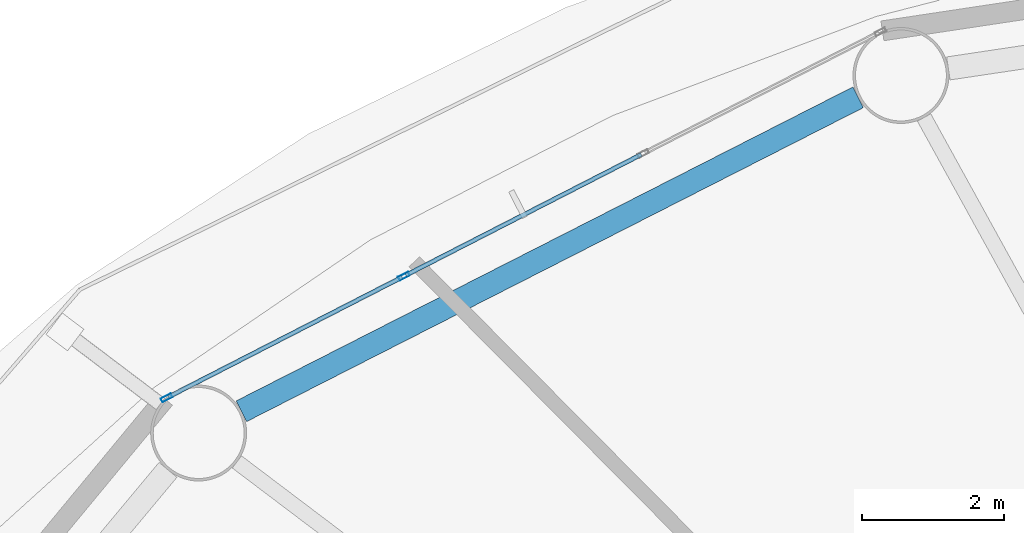
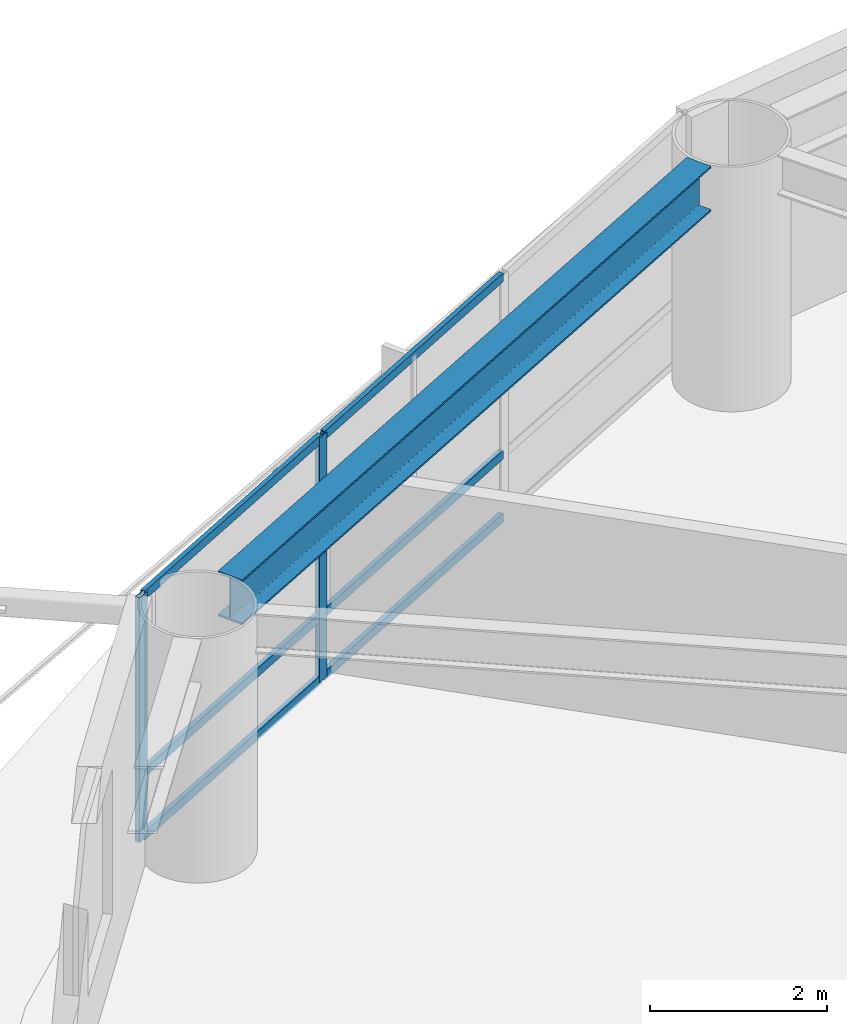
# One storey, part 10 of 26: 8 members, 1 beam, 1 element without a shape of its own.
"""IFC4 building model written with IfcOpenShell, lengths in metres."""

from ifc_helpers import new_model, si_unit, direction, frame, origin, origin_2d, place, context, subcontext, project, spatial, hollow_rectangle, i_section, extrude, material, layer, layer_set, material_profile, profile_set, type_object, element, aggregate, save


model = new_model("IFC4")

# Units and contexts
model_context = context("Model", 3, precision=1e-05, world=origin(), true_north=direction((0.0, 1.0)))
body_context = subcontext(model_context, "Body", "Model", "MODEL_VIEW")
ifc_project = project(units=[si_unit("LENGTHUNIT", "METRE"), si_unit("AREAUNIT", "SQUARE_METRE"), si_unit("VOLUMEUNIT", "CUBIC_METRE"), si_unit("PLANEANGLEUNIT", "RADIAN"), si_unit("MASSUNIT", "GRAM", prefix="KILO")], contexts=[model_context])

# Site, building, storey
site_placement = place(None, origin())
site = spatial("IfcSite", under=ifc_project, at=site_placement, CompositionType="ELEMENT")
building_placement = place(site_placement, origin())
building = spatial("IfcBuilding", under=site, at=building_placement, Name="Sarneth Arch Tower", CompositionType="ELEMENT")
storey_placement = place(building_placement, frame((0.0, 0.0, 49.800048828125)))
storey = spatial("IfcBuildingStorey", under=building, at=storey_placement, Name="L11", CompositionType="ELEMENT", Elevation=49.800048828125)

# Beam
ifc_material_1 = material(Name="Steel S355", Category="steel")
ifc_material_profile_1 = material_profile(ifc_material_1, i_section(OverallWidth=0.326904296875, OverallDepth=0.6220703125, WebThickness=0.015380859375, FlangeThickness=0.0244140625, FilletRadius=0.01904296875, at=origin_2d()), Name="W610x195")
ifc_profile_set_1 = profile_set([ifc_material_profile_1], Name="Steel S355")
beam_type = type_object("IfcBeamType", Name="BM-SPAN-610A", PredefinedType="SPANDREL", material=ifc_profile_set_1)
beam_placement = place(storey_placement, frame((35.58056640625, 63.127685546875, 3.06884765625), z_axis=(-0.8911738076, -0.453662037919, 0.0), x_axis=(0.453662037919, -0.8911738076, 0.0)))
element("IfcBeam", 1, at=beam_placement, inside=storey, type_object=beam_type, Name="L11 Perimeter spandrel beam 06", PredefinedType="SPANDREL", context=body_context, shape_type="SweptSolid", body=[
    extrude(i_section(OverallWidth=0.326904296875, OverallDepth=0.6220703125, WebThickness=0.015380859375, FlangeThickness=0.0244140625, FilletRadius=0.01904296875, at=origin_2d()), origin(), (0.0, 0.0, 1.0), 9.735107421875),
])

# Curtain wall, members
ifc_material_2 = material(Name="Anodised aluminium Type AA25 and solar-control low-e laminated IGU", Category="aluminium")
ifc_layer = layer(ifc_material_2, 0.159912109375)
ifc_layer_set = layer_set([ifc_layer], Name="Anodised aluminium Type AA25 and solar-control low-e laminated IGU")
curtain_wall_type = type_object("IfcCurtainWallType", Name="CW-HOTEL-LOW", PredefinedType="NOTDEFINED", material=ifc_layer_set)
curtain_wall_placement = place(storey_placement, origin())
curtain_wall = element("IfcCurtainWall", 2, at=curtain_wall_placement, inside=storey, type_object=curtain_wall_type, Name="L11 Unitised curtain wall facet 06", PredefinedType="NOTDEFINED")
ifc_material_3 = material(Name="Anodised Aluminium 6063-T6", Category="aluminium")
ifc_material_profile_2 = material_profile(ifc_material_3, hollow_rectangle(XDim=0.06005859375, YDim=0.159912109375, WallThickness=0.00390625, at=origin_2d()), Name="AL-MULL-160x60x4")
ifc_profile_set_2 = profile_set([ifc_material_profile_2], Name="Anodised Aluminium 6063-T6")
member_type_1 = type_object("IfcMemberType", Name="CW-MULLION", PredefinedType="MULLION", material=ifc_profile_set_2)
member_1_placement = place(storey_placement, frame((29.19140625, 60.611328125, 0.0), z_axis=(0.0, 0.0, 1.0), x_axis=(0.456245197127, -0.889854100456, 0.0)))
member_1 = element("IfcMember", 3, at=member_1_placement, type_object=member_type_1, Name="CW-SYS-3 mullion 3", PredefinedType="MULLION", context=body_context, shape_type="SweptSolid", body=[
    extrude(hollow_rectangle(XDim=0.06005859375, YDim=0.159912109375, WallThickness=0.00390625, at=origin_2d()), origin(), (0.0, 0.0, 1.0), 3.3798828125),
])
member_2_placement = place(storey_placement, frame((25.8525390625, 58.8994140625, 0.0), z_axis=(0.0, 0.0, 1.0), x_axis=(0.456245197127, -0.889854100456, 0.0)))
member_2 = element("IfcMember", 4, at=member_2_placement, type_object=member_type_1, Name="CW-SYS-3 mullion 4", PredefinedType="MULLION", context=body_context, shape_type="SweptSolid", body=[
    extrude(hollow_rectangle(XDim=0.06005859375, YDim=0.159912109375, WallThickness=0.00390625, at=origin_2d()), origin(), (0.0, 0.0, 1.0), 3.3798828125),
])
ifc_material_4 = material(Name="Anodised Aluminium 6063-T6", Category="aluminium")
ifc_material_profile_3 = material_profile(ifc_material_4, hollow_rectangle(XDim=0.06005859375, YDim=0.1201171875, WallThickness=0.00390625, at=origin_2d()), Name="AL-TRAN-120x60x4")
ifc_profile_set_3 = profile_set([ifc_material_profile_3], Name="Anodised Aluminium 6063-T6")
member_type_2 = type_object("IfcMemberType", Name="CW-TRANSOM", PredefinedType="USERDEFINED", material=ifc_profile_set_3)
member_3_placement = place(storey_placement, frame((32.530029296875, 62.322998046875, 0.030029296875), z_axis=(-0.889868677022, -0.456216766083, 0.0), x_axis=(0.456216766083, -0.889868677022, 0.0)))
member_3 = element("IfcMember", 5, at=member_3_placement, type_object=member_type_2, Name="CW-SYS-3 transom 2.1", ObjectType="TRANSOM", PredefinedType="USERDEFINED", context=body_context, shape_type="SweptSolid", body=[
    extrude(hollow_rectangle(XDim=0.06005859375, YDim=0.1201171875, WallThickness=0.00390625, at=origin_2d()), origin(), (0.0, 0.0, 1.0), 3.721923828125),
])
member_4_placement = place(storey_placement, frame((32.530029296875, 62.322998046875, 0.89990234375), z_axis=(-0.889868677022, -0.456216766083, 0.0), x_axis=(0.456216766083, -0.889868677022, 0.0)))
member_4 = element("IfcMember", 6, at=member_4_placement, type_object=member_type_2, Name="CW-SYS-3 transom 2.2", ObjectType="TRANSOM", PredefinedType="USERDEFINED", context=body_context, shape_type="SweptSolid", body=[
    extrude(hollow_rectangle(XDim=0.06005859375, YDim=0.1201171875, WallThickness=0.00390625, at=origin_2d()), origin(), (0.0, 0.0, 1.0), 3.721923828125),
])
member_5_placement = place(storey_placement, frame((32.530029296875, 62.322998046875, 3.349853515625), z_axis=(-0.889868677022, -0.456216766083, 0.0), x_axis=(0.456216766083, -0.889868677022, 0.0)))
member_5 = element("IfcMember", 7, at=member_5_placement, type_object=member_type_2, Name="CW-SYS-3 transom 2.3", ObjectType="TRANSOM", PredefinedType="USERDEFINED", context=body_context, shape_type="SweptSolid", body=[
    extrude(hollow_rectangle(XDim=0.06005859375, YDim=0.1201171875, WallThickness=0.00390625, at=origin_2d()), origin(), (0.0, 0.0, 1.0), 3.721923828125),
])
member_6_placement = place(storey_placement, frame((29.16455078125, 60.597412109375, 0.030029296875), z_axis=(-0.889871845224, -0.456210586327, 0.0), x_axis=(0.456210586327, -0.889871845224, 0.0)))
member_6 = element("IfcMember", 8, at=member_6_placement, type_object=member_type_2, Name="CW-SYS-3 transom 3.1", ObjectType="TRANSOM", PredefinedType="USERDEFINED", context=body_context, shape_type="SweptSolid", body=[
    extrude(hollow_rectangle(XDim=0.06005859375, YDim=0.1201171875, WallThickness=0.00390625, at=origin_2d()), origin(), (0.0, 0.0, 1.0), 3.69189453125),
])
member_7_placement = place(storey_placement, frame((29.16455078125, 60.597412109375, 0.89990234375), z_axis=(-0.889871845224, -0.456210586327, 0.0), x_axis=(0.456210586327, -0.889871845224, 0.0)))
member_7 = element("IfcMember", 9, at=member_7_placement, type_object=member_type_2, Name="CW-SYS-3 transom 3.2", ObjectType="TRANSOM", PredefinedType="USERDEFINED", context=body_context, shape_type="SweptSolid", body=[
    extrude(hollow_rectangle(XDim=0.06005859375, YDim=0.1201171875, WallThickness=0.00390625, at=origin_2d()), origin(), (0.0, 0.0, 1.0), 3.69189453125),
])
member_8_placement = place(storey_placement, frame((29.16455078125, 60.597412109375, 3.349853515625), z_axis=(-0.889871845224, -0.456210586327, 0.0), x_axis=(0.456210586327, -0.889871845224, 0.0)))
member_8 = element("IfcMember", 10, at=member_8_placement, type_object=member_type_2, Name="CW-SYS-3 transom 3.3", ObjectType="TRANSOM", PredefinedType="USERDEFINED", context=body_context, shape_type="SweptSolid", body=[
    extrude(hollow_rectangle(XDim=0.06005859375, YDim=0.1201171875, WallThickness=0.00390625, at=origin_2d()), origin(), (0.0, 0.0, 1.0), 3.69189453125),
])
aggregate(curtain_wall, [member_1, member_2, member_3, member_4, member_5, member_6, member_7, member_8])

save(model, "model.ifc")
